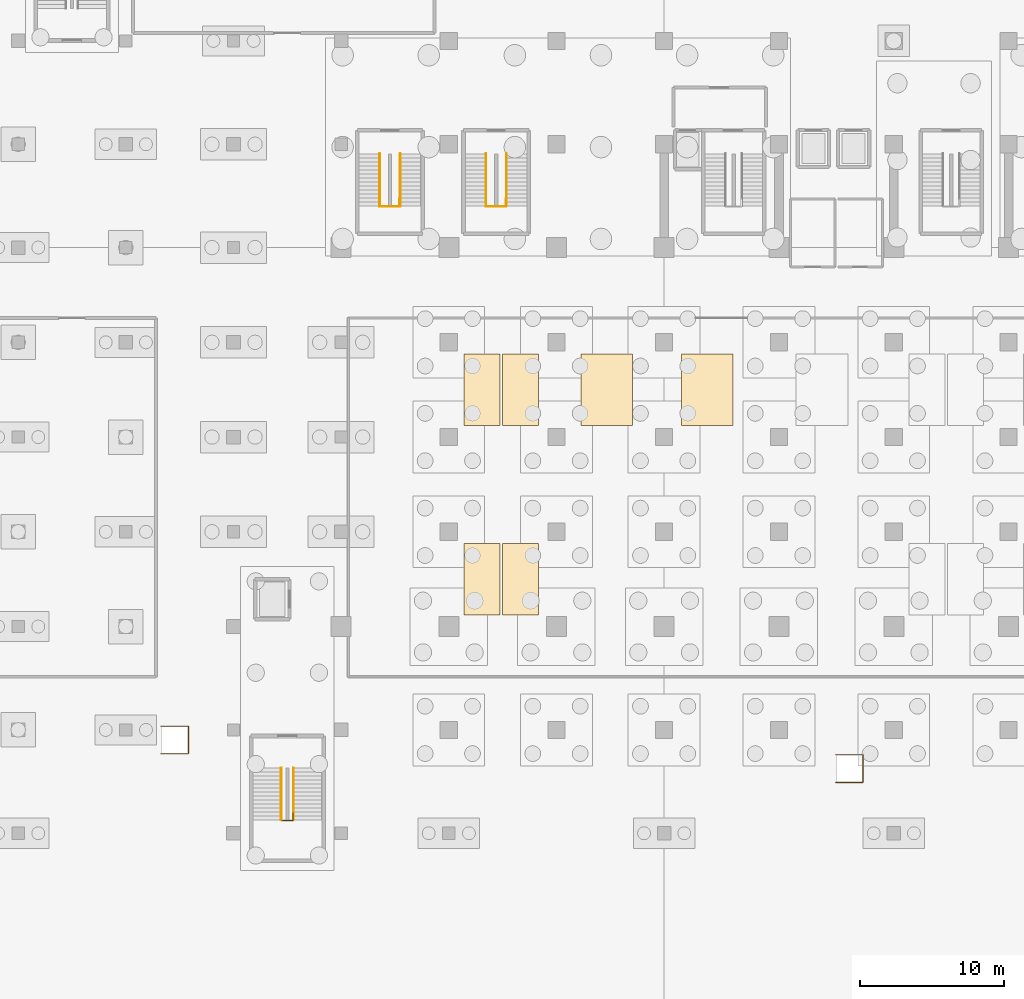
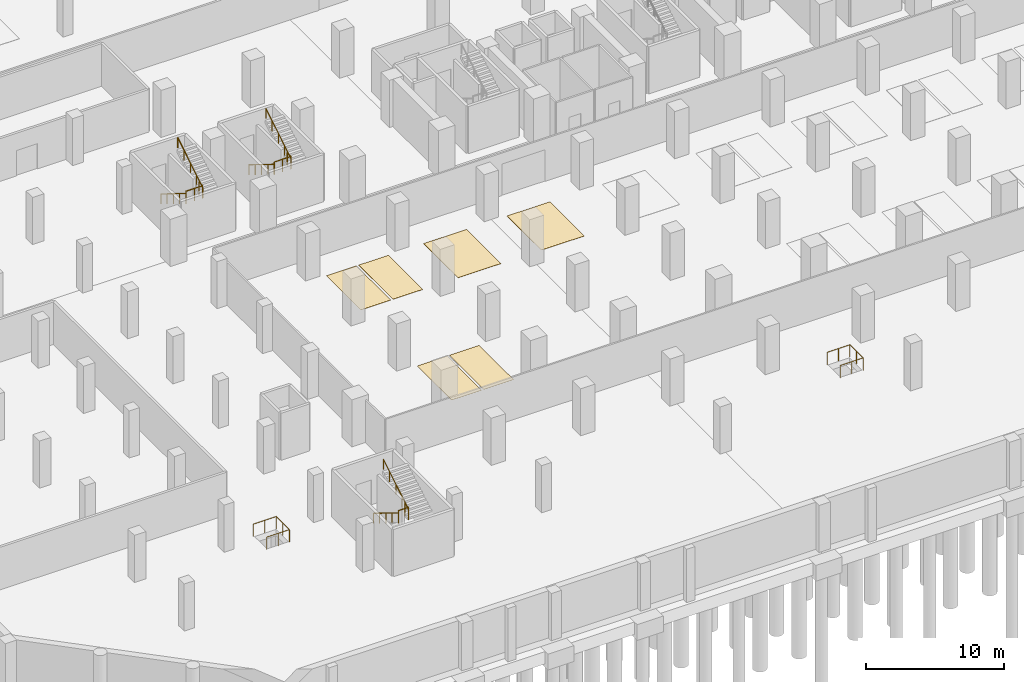
# One storey, part 21 of 26: 11 railings, 6 coverings.
"""IFC4 building model written with IfcOpenShell, lengths in metres."""

from ifc_helpers import new_model, si_unit, direction, frame, origin, origin_2d, place, context, subcontext, project, spatial, rectangle, circle, extrude, material, layer, layer_set, type_object, element, save


model = new_model("IFC4")

# Units and contexts
model_context = context("Model", 3, precision=1e-05, world=origin(), true_north=direction((0.0, 1.0)))
body_context = subcontext(model_context, "Body", "Model", "MODEL_VIEW")
ifc_project = project(units=[si_unit("LENGTHUNIT", "METRE"), si_unit("AREAUNIT", "SQUARE_METRE"), si_unit("VOLUMEUNIT", "CUBIC_METRE"), si_unit("PLANEANGLEUNIT", "RADIAN"), si_unit("MASSUNIT", "GRAM", prefix="KILO")], contexts=[model_context])

# Site, building, storey
site_placement = place(None, origin())
site = spatial("IfcSite", under=ifc_project, at=site_placement, CompositionType="ELEMENT")
building_placement = place(site_placement, origin())
building = spatial("IfcBuilding", under=site, at=building_placement, Name="Akrevak Sports Hall", CompositionType="ELEMENT")
storey_placement = place(building_placement, frame((0.0, 0.0, -9.0)))
storey = spatial("IfcBuildingStorey", under=building, at=storey_placement, Name="B02", CompositionType="ELEMENT", Elevation=-9.0)

# Coverings
ifc_material_1 = material(Name="Slate-Grey Stone Accessible Bay Topping", Category="stone")
ifc_layer_1 = layer(ifc_material_1, 0.014892578125, Name="Slate-Grey Stone Accessible Bay Topping")
ifc_layer_set_1 = layer_set([ifc_layer_1], Name="Slate-Grey Stone Accessible Bay Topping")
covering_type_1 = type_object("IfcCoveringType", Name="ARC-COV-PKBAY-ACC", PredefinedType="FLOORING", material=ifc_layer_set_1)
for number, where, z_axis, x_axis, name in (
    (1, (56.0, 45.300048828125, 0.0), (0.0, 0.0, 1.0), (1.0, 0.0, 0.0), "Accessible Parking Bay Marking B02-S01"),
    (2, (63.0, 45.300048828125, 0.0), (0.0, 0.0, 1.0), (1.0, 0.0, 0.0), "Accessible Parking Bay Marking B02-S02"),
):
    element("IfcCovering", number, at=place(storey_placement, frame(where, z_axis=z_axis, x_axis=x_axis)), inside=storey, type_object=covering_type_1, Name=name, PredefinedType="FLOORING", context=body_context, shape_type="SweptSolid", body=[
        extrude(rectangle(XDim=3.60009765625, YDim=5.0, at=origin_2d()), origin(), (0.0, 0.0, 1.0), 0.014892578125),
    ])
ifc_material_2 = material(Name="Polished Terrazzo Bay Topping", Category="stone")
ifc_layer_2 = layer(ifc_material_2, 0.014892578125, Name="Polished Terrazzo Bay Topping")
ifc_layer_set_2 = layer_set([ifc_layer_2], Name="Polished Terrazzo Bay Topping")
covering_type_2 = type_object("IfcCoveringType", Name="ARC-COV-PKBAY-STD", PredefinedType="FLOORING", material=ifc_layer_set_2)
for number, where, z_axis, x_axis, name in (
    (3, (47.300048828125, 32.10009765625, 0.0), (0.0, 0.0, 1.0), (1.0, 0.0, 0.0), "Standard Parking Bay Marking B02-S01"),
    (4, (50.0, 32.10009765625, 0.0), (0.0, 0.0, 1.0), (1.0, 0.0, 0.0), "Standard Parking Bay Marking B02-S02"),
    (5, (47.300048828125, 45.300048828125, 0.0), (0.0, 0.0, 1.0), (1.0, 0.0, 0.0), "Standard Parking Bay Marking B02-S15"),
    (6, (50.0, 45.300048828125, 0.0), (0.0, 0.0, 1.0), (1.0, 0.0, 0.0), "Standard Parking Bay Marking B02-S16"),
):
    element("IfcCovering", number, at=place(storey_placement, frame(where, z_axis=z_axis, x_axis=x_axis)), inside=storey, type_object=covering_type_2, Name=name, PredefinedType="FLOORING", context=body_context, shape_type="SweptSolid", body=[
        extrude(rectangle(XDim=2.5, YDim=5.0, at=origin_2d()), origin(), (0.0, 0.0, 1.0), 0.014892578125),
    ])

# Railings
ifc_material_3 = material(Name="Painted Architectural Balustrade Steel", Category="steel")
ifc_layer_3 = layer(ifc_material_3, 0.06005859375, Name="Painted Architectural Balustrade Steel")
ifc_layer_set_3 = layer_set([ifc_layer_3], Name="Painted Architectural Balustrade Steel")
railing_type_1 = type_object("IfcRailingType", Name="ARC-RL-GRD-1120", PredefinedType="GUARDRAIL", material=ifc_layer_set_3)
railing_1_placement = place(storey_placement, frame((47.590087890625, 58.06494140625, 2.25)))
element("IfcRailing", 7, at=railing_1_placement, inside=storey, type_object=railing_type_1, Name="Stair Landing Well Guard ST4-B02-1", PredefinedType="GUARDRAIL", context=body_context, shape_type="SweptSolid", body=[
    extrude(circle(Radius=0.02392578125, at=origin_2d()), frame((0.0, 0.0, 1.09619140625), z_axis=(1.0, 0.0, 0.0), x_axis=(0.0, 1.0, 0.0)), (0.0, 0.0, 1.0), 1.389892578125),
    extrude(circle(Radius=0.02392578125, at=origin_2d()), frame((1.389892578125, 0.0, 1.09619140625), z_axis=(0.0, 1.0, 0.0), x_axis=(-1.0, 0.0, 0.0)), (0.0, 0.0, 1.0), 0.52001953125),
    extrude(circle(Radius=0.02099609375, at=origin_2d()), origin(), (0.0, 0.0, 1.0), 1.072021484375),
    extrude(circle(Radius=0.02099609375, at=origin_2d()), frame((0.69482421875, 0.0, 0.0)), (0.0, 0.0, 1.0), 1.072021484375),
    extrude(circle(Radius=0.02099609375, at=origin_2d()), frame((1.389892578125, 0.0, 0.0)), (0.0, 0.0, 1.0), 1.072021484375),
    extrude(circle(Radius=0.02099609375, at=origin_2d()), frame((1.389892578125, 0.52001953125, 0.0)), (0.0, 0.0, 1.0), 1.072021484375),
])
railing_2_placement = place(storey_placement, frame((33.330078125, 15.280029296875, 2.25)))
element("IfcRailing", 8, at=railing_2_placement, inside=storey, type_object=railing_type_1, Name="Stair Landing Well Guard ST5-B02-1", PredefinedType="GUARDRAIL", context=body_context, shape_type="SweptSolid", body=[
    extrude(circle(Radius=0.02392578125, at=origin_2d()), frame((0.0, 0.0, 1.09619140625), z_axis=(1.0, 0.0, 0.0), x_axis=(0.0, 1.0, 0.0)), (0.0, 0.0, 1.0), 0.809814453125),
    extrude(circle(Radius=0.02392578125, at=origin_2d()), frame((0.809814453125, 0.0, 1.09619140625), z_axis=(0.0, 1.0, 0.0), x_axis=(-1.0, 0.0, 0.0)), (0.0, 0.0, 1.0), 0.52001953125),
    extrude(circle(Radius=0.02099609375, at=origin_2d()), origin(), (0.0, 0.0, 1.0), 1.072021484375),
    extrude(circle(Radius=0.02099609375, at=origin_2d()), frame((0.809814453125, 0.0, 0.0)), (0.0, 0.0, 1.0), 1.072021484375),
    extrude(circle(Radius=0.02099609375, at=origin_2d()), frame((0.809814453125, 0.52001953125, 0.0)), (0.0, 0.0, 1.0), 1.072021484375),
])
railing_3_placement = place(storey_placement, frame((40.18994140625, 58.06494140625, 2.25)))
element("IfcRailing", 9, at=railing_3_placement, inside=storey, type_object=railing_type_1, Name="Stair Landing Well Guard ST9-B02-1", PredefinedType="GUARDRAIL", context=body_context, shape_type="SweptSolid", body=[
    extrude(circle(Radius=0.02392578125, at=origin_2d()), frame((0.0, 0.0, 1.09619140625), z_axis=(1.0, 0.0, 0.0), x_axis=(0.0, 1.0, 0.0)), (0.0, 0.0, 1.0), 1.39013671875),
    extrude(circle(Radius=0.02392578125, at=origin_2d()), frame((1.39013671875, 0.0, 1.09619140625), z_axis=(0.0, 1.0, 0.0), x_axis=(-1.0, 0.0, 0.0)), (0.0, 0.0, 1.0), 0.52001953125),
    extrude(circle(Radius=0.02099609375, at=origin_2d()), origin(), (0.0, 0.0, 1.0), 1.072021484375),
    extrude(circle(Radius=0.02099609375, at=origin_2d()), frame((0.695068359375, 0.0, 0.0)), (0.0, 0.0, 1.0), 1.072021484375),
    extrude(circle(Radius=0.02099609375, at=origin_2d()), frame((1.39013671875, 0.0, 0.0)), (0.0, 0.0, 1.0), 1.072021484375),
    extrude(circle(Radius=0.02099609375, at=origin_2d()), frame((1.39013671875, 0.52001953125, 0.0)), (0.0, 0.0, 1.0), 1.072021484375),
])
for number, where, name in (
    (10, (24.93994140625, 19.93994140625, 0.0), "B02 Sump Pit Safety Guardrail 1"),
    (11, (71.93994140625, 17.93994140625, 0.0), "B02 Sump Pit Safety Guardrail 3"),
):
    element("IfcRailing", number, at=place(storey_placement, frame(where)), inside=storey, type_object=railing_type_1, Name=name, PredefinedType="GUARDRAIL", context=body_context, shape_type="SweptSolid", body=[
        extrude(circle(Radius=0.02392578125, at=origin_2d()), frame((0.0, 0.0, 1.09619140625), z_axis=(1.0, 0.0, 0.0), x_axis=(0.0, 1.0, 0.0)), (0.0, 0.0, 1.0), 1.920166015625),
        extrude(circle(Radius=0.02392578125, at=origin_2d()), frame((1.920166015625, 0.0, 1.09619140625), z_axis=(0.0, 1.0, 0.0), x_axis=(-1.0, 0.0, 0.0)), (0.0, 0.0, 1.0), 1.920166015625),
        extrude(circle(Radius=0.02392578125, at=origin_2d()), frame((1.920166015625, 1.920166015625, 1.09619140625), z_axis=(-1.0, 0.0, 0.0), x_axis=(0.0, -1.0, 0.0)), (0.0, 0.0, 1.0), 1.920166015625),
        extrude(circle(Radius=0.02099609375, at=origin_2d()), origin(), (0.0, 0.0, 1.0), 1.072021484375),
        extrude(circle(Radius=0.02099609375, at=origin_2d()), frame((0.9599609375, 0.0, 0.0)), (0.0, 0.0, 1.0), 1.072021484375),
        extrude(circle(Radius=0.02099609375, at=origin_2d()), frame((1.920166015625, 0.0, 0.0)), (0.0, 0.0, 1.0), 1.072021484375),
        extrude(circle(Radius=0.02099609375, at=origin_2d()), frame((1.920166015625, 0.9599609375, 0.0)), (0.0, 0.0, 1.0), 1.072021484375),
        extrude(circle(Radius=0.02099609375, at=origin_2d()), frame((1.920166015625, 1.920166015625, 0.0)), (0.0, 0.0, 1.0), 1.072021484375),
        extrude(circle(Radius=0.02099609375, at=origin_2d()), frame((0.9599609375, 1.920166015625, 0.0)), (0.0, 0.0, 1.0), 1.072021484375),
        extrude(circle(Radius=0.02099609375, at=origin_2d()), frame((0.0, 1.920166015625, 0.0)), (0.0, 0.0, 1.0), 1.072021484375),
    ])
ifc_material_4 = material(Name="Brushed Stainless Steel 304", Category="steel")
ifc_layer_4 = layer(ifc_material_4, 0.050048828125, Name="Brushed Stainless Steel 304")
ifc_layer_set_4 = layer_set([ifc_layer_4], Name="Brushed Stainless Steel 304")
railing_type_2 = type_object("IfcRailingType", Name="ARC-RL-HND-900", PredefinedType="HANDRAIL", material=ifc_layer_set_4)
railing_4_placement = place(storey_placement, frame((47.590087890625, 61.735107421875, 0.0)))
element("IfcRailing", 12, at=railing_4_placement, inside=storey, type_object=railing_type_2, Name="Stair Handrail ST4-B02-F1", PredefinedType="HANDRAIL", context=body_context, shape_type="SweptSolid", body=[
    extrude(circle(Radius=0.02392578125, at=origin_2d()), frame((0.0, 0.0, 0.8759765625), z_axis=(0.0, -0.850622404505, 0.525777067734), x_axis=(1.0, 0.0, 0.0)), (0.0, 0.0, 1.0), 4.279296875),
    extrude(circle(Radius=0.02099609375, at=origin_2d()), origin(), (0.0, 0.0, 1.0), 0.851806640625),
    extrude(circle(Radius=0.02099609375, at=origin_2d()), frame((0.0, -0.91015625, 0.5625)), (0.0, 0.0, 1.0), 0.851806640625),
    extrude(circle(Radius=0.02099609375, at=origin_2d()), frame((0.0, -1.820068359375, 1.125)), (0.0, 0.0, 1.0), 0.851806640625),
    extrude(circle(Radius=0.02099609375, at=origin_2d()), frame((0.0, -2.72998046875, 1.6875)), (0.0, 0.0, 1.0), 0.851806640625),
    extrude(circle(Radius=0.02099609375, at=origin_2d()), frame((0.0, -3.64013671875, 2.25)), (0.0, 0.0, 1.0), 0.851806640625),
])
railing_5_placement = place(storey_placement, frame((49.010009765625, 58.094970703125, 2.25)))
element("IfcRailing", 13, at=railing_5_placement, inside=storey, type_object=railing_type_2, Name="Stair Handrail ST4-B02-F2", PredefinedType="HANDRAIL", context=body_context, shape_type="SweptSolid", body=[
    extrude(circle(Radius=0.02392578125, at=origin_2d()), frame((0.0, 0.0, 0.8759765625), z_axis=(0.0, 0.850622404505, 0.525777067734), x_axis=(-1.0, 0.0, 0.0)), (0.0, 0.0, 1.0), 4.279296875),
    extrude(circle(Radius=0.02099609375, at=origin_2d()), origin(), (0.0, 0.0, 1.0), 0.851806640625),
    extrude(circle(Radius=0.02099609375, at=origin_2d()), frame((0.0, 0.91015625, 0.5625)), (0.0, 0.0, 1.0), 0.851806640625),
    extrude(circle(Radius=0.02099609375, at=origin_2d()), frame((0.0, 1.820068359375, 1.125)), (0.0, 0.0, 1.0), 0.851806640625),
    extrude(circle(Radius=0.02099609375, at=origin_2d()), frame((0.0, 2.72998046875, 1.6875)), (0.0, 0.0, 1.0), 0.851806640625),
    extrude(circle(Radius=0.02099609375, at=origin_2d()), frame((0.0, 3.64013671875, 2.25)), (0.0, 0.0, 1.0), 0.851806640625),
])
railing_6_placement = place(storey_placement, frame((33.330078125, 18.949951171875, 0.0)))
element("IfcRailing", 14, at=railing_6_placement, inside=storey, type_object=railing_type_2, Name="Stair Handrail ST5-B02-F1", PredefinedType="HANDRAIL", context=body_context, shape_type="SweptSolid", body=[
    extrude(circle(Radius=0.02392578125, at=origin_2d()), frame((0.0, 0.0, 0.8759765625), z_axis=(0.0, -0.850606632239, 0.525802583857), x_axis=(1.0, 0.0, 0.0)), (0.0, 0.0, 1.0), 4.279052734375),
    extrude(circle(Radius=0.02099609375, at=origin_2d()), origin(), (0.0, 0.0, 1.0), 0.851806640625),
    extrude(circle(Radius=0.02099609375, at=origin_2d()), frame((0.0, -0.909912109375, 0.5625)), (0.0, 0.0, 1.0), 0.851806640625),
    extrude(circle(Radius=0.02099609375, at=origin_2d()), frame((0.0, -1.81982421875, 1.125)), (0.0, 0.0, 1.0), 0.851806640625),
    extrude(circle(Radius=0.02099609375, at=origin_2d()), frame((0.0, -2.72998046875, 1.6875)), (0.0, 0.0, 1.0), 0.851806640625),
    extrude(circle(Radius=0.02099609375, at=origin_2d()), frame((0.0, -3.639892578125, 2.25)), (0.0, 0.0, 1.0), 0.851806640625),
])
railing_7_placement = place(storey_placement, frame((34.169921875, 15.31005859375, 2.25)))
element("IfcRailing", 15, at=railing_7_placement, inside=storey, type_object=railing_type_2, Name="Stair Handrail ST5-B02-F2", PredefinedType="HANDRAIL", context=body_context, shape_type="SweptSolid", body=[
    extrude(circle(Radius=0.02392578125, at=origin_2d()), frame((0.0, 0.0, 0.8759765625), z_axis=(0.0, 0.850606632239, 0.525802583857), x_axis=(-1.0, 0.0, 0.0)), (0.0, 0.0, 1.0), 4.279052734375),
    extrude(circle(Radius=0.02099609375, at=origin_2d()), origin(), (0.0, 0.0, 1.0), 0.851806640625),
    extrude(circle(Radius=0.02099609375, at=origin_2d()), frame((0.0, 0.909912109375, 0.5625)), (0.0, 0.0, 1.0), 0.851806640625),
    extrude(circle(Radius=0.02099609375, at=origin_2d()), frame((0.0, 1.81982421875, 1.125)), (0.0, 0.0, 1.0), 0.851806640625),
    extrude(circle(Radius=0.02099609375, at=origin_2d()), frame((0.0, 2.72998046875, 1.6875)), (0.0, 0.0, 1.0), 0.851806640625),
    extrude(circle(Radius=0.02099609375, at=origin_2d()), frame((0.0, 3.639892578125, 2.25)), (0.0, 0.0, 1.0), 0.851806640625),
])
railing_8_placement = place(storey_placement, frame((40.18994140625, 61.735107421875, 0.0)))
element("IfcRailing", 16, at=railing_8_placement, inside=storey, type_object=railing_type_2, Name="Stair Handrail ST9-B02-F1", PredefinedType="HANDRAIL", context=body_context, shape_type="SweptSolid", body=[
    extrude(circle(Radius=0.02392578125, at=origin_2d()), frame((0.0, 0.0, 0.8759765625), z_axis=(0.0, -0.850622404505, 0.525777067734), x_axis=(1.0, 0.0, 0.0)), (0.0, 0.0, 1.0), 4.279296875),
    extrude(circle(Radius=0.02099609375, at=origin_2d()), origin(), (0.0, 0.0, 1.0), 0.851806640625),
    extrude(circle(Radius=0.02099609375, at=origin_2d()), frame((0.0, -0.91015625, 0.5625)), (0.0, 0.0, 1.0), 0.851806640625),
    extrude(circle(Radius=0.02099609375, at=origin_2d()), frame((0.0, -1.820068359375, 1.125)), (0.0, 0.0, 1.0), 0.851806640625),
    extrude(circle(Radius=0.02099609375, at=origin_2d()), frame((0.0, -2.72998046875, 1.6875)), (0.0, 0.0, 1.0), 0.851806640625),
    extrude(circle(Radius=0.02099609375, at=origin_2d()), frame((0.0, -3.64013671875, 2.25)), (0.0, 0.0, 1.0), 0.851806640625),
])
railing_9_placement = place(storey_placement, frame((41.610107421875, 58.094970703125, 2.25)))
element("IfcRailing", 17, at=railing_9_placement, inside=storey, type_object=railing_type_2, Name="Stair Handrail ST9-B02-F2", PredefinedType="HANDRAIL", context=body_context, shape_type="SweptSolid", body=[
    extrude(circle(Radius=0.02392578125, at=origin_2d()), frame((0.0, 0.0, 0.8759765625), z_axis=(0.0, 0.850622404505, 0.525777067734), x_axis=(-1.0, 0.0, 0.0)), (0.0, 0.0, 1.0), 4.279296875),
    extrude(circle(Radius=0.02099609375, at=origin_2d()), origin(), (0.0, 0.0, 1.0), 0.851806640625),
    extrude(circle(Radius=0.02099609375, at=origin_2d()), frame((0.0, 0.91015625, 0.5625)), (0.0, 0.0, 1.0), 0.851806640625),
    extrude(circle(Radius=0.02099609375, at=origin_2d()), frame((0.0, 1.820068359375, 1.125)), (0.0, 0.0, 1.0), 0.851806640625),
    extrude(circle(Radius=0.02099609375, at=origin_2d()), frame((0.0, 2.72998046875, 1.6875)), (0.0, 0.0, 1.0), 0.851806640625),
    extrude(circle(Radius=0.02099609375, at=origin_2d()), frame((0.0, 3.64013671875, 2.25)), (0.0, 0.0, 1.0), 0.851806640625),
])

save(model, "model.ifc")
